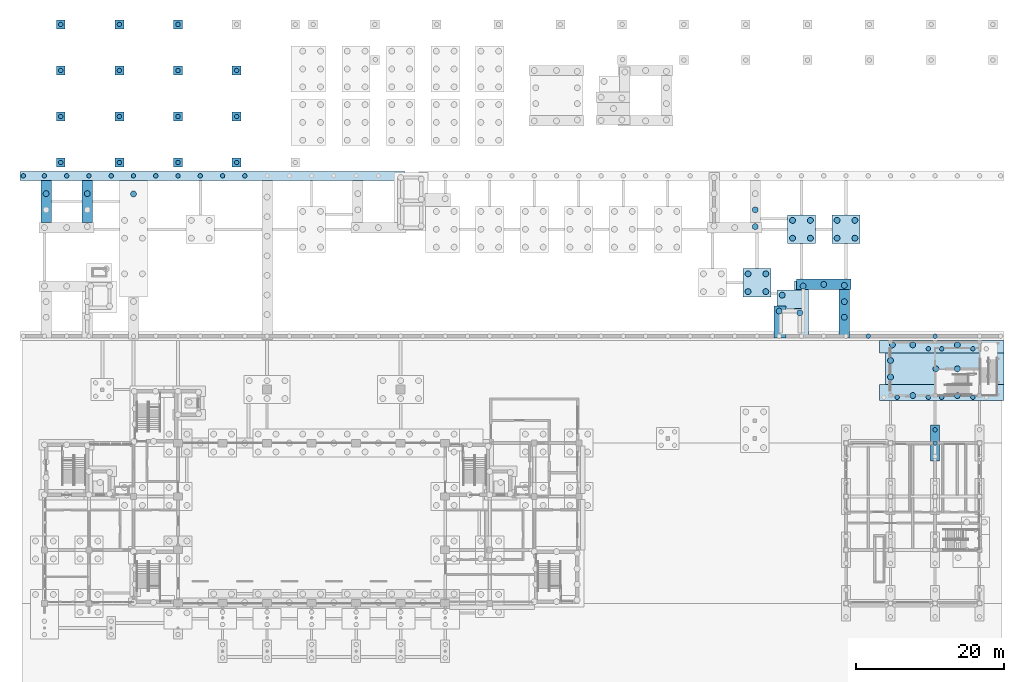
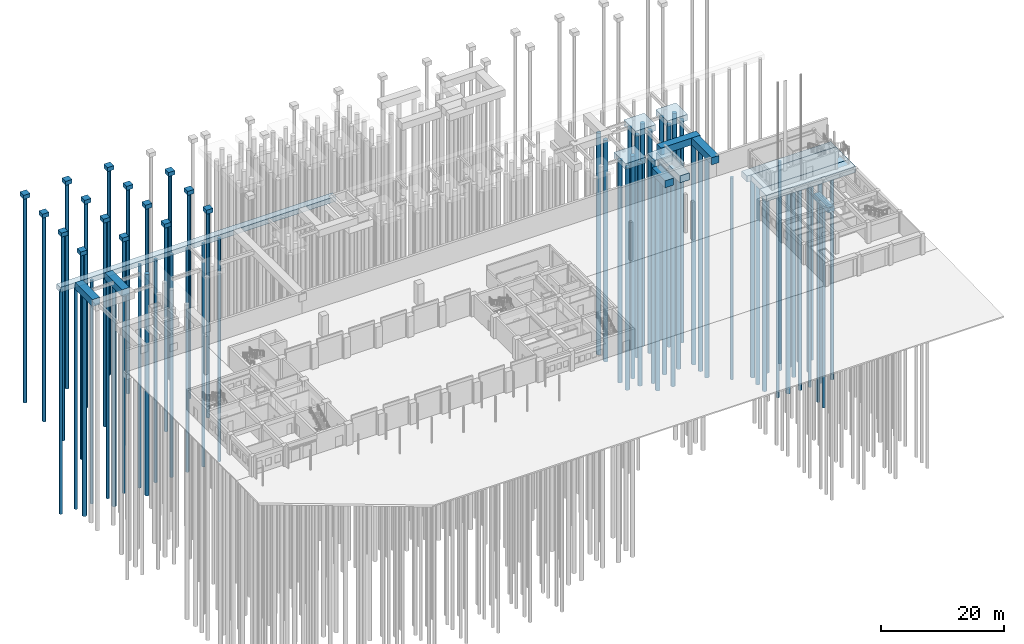
# One storey, part 5 of 37: 71 piles, 30 footings.
"""IFC4 building model written with IfcOpenShell, lengths in metres."""

from ifc_helpers import new_model, si_unit, direction, frame, origin, origin_2d, place, context, subcontext, project, spatial, polyline, circle, outline, extrude, material, layer, layer_set, material_profile, profile_set, type_object, element, save


model = new_model("IFC4")

# Units and contexts
model_context = context("Model", 3, precision=1e-05, world=origin(), true_north=direction((0.0, 1.0)))
body_context = subcontext(model_context, "Body", "Model", "MODEL_VIEW")
ifc_project = project(units=[si_unit("LENGTHUNIT", "METRE"), si_unit("AREAUNIT", "SQUARE_METRE"), si_unit("VOLUMEUNIT", "CUBIC_METRE"), si_unit("PLANEANGLEUNIT", "RADIAN"), si_unit("MASSUNIT", "GRAM", prefix="KILO")], contexts=[model_context])

# Site, building, storey
site_placement = place(None, origin())
site = spatial("IfcSite", under=ifc_project, at=site_placement, CompositionType="ELEMENT")
building_placement = place(site_placement, origin())
building = spatial("IfcBuilding", under=site, at=building_placement, Name="Laocheng Heights Fire and Rescue Headquarters", CompositionType="ELEMENT")
storey_placement = place(building_placement, origin())
storey = spatial("IfcBuildingStorey", under=building, at=storey_placement, Name="L00", CompositionType="ELEMENT", Elevation=0.0)

# Piles
ifc_material_1 = material(Name="Concrete C35", Category="concrete")
ifc_material_profile_1 = material_profile(ifc_material_1, circle(Radius=0.300048828125, at=origin_2d()), Name="BORED PILE D600")
ifc_profile_set_1 = profile_set([ifc_material_profile_1], Name="Concrete C35")
pile_type_1 = type_object("IfcPileType", Name="BORED PILE D600", PredefinedType="BORED", material=ifc_profile_set_1)
for number, where, z_axis, x_axis, name in (
    (1, (120.0, 21.60009765625, -1.300048828125), (0.0, 0.0, -1.0), (1.0, 0.0, 0.0), "Bored pile D600"),
    (2, (120.0, 23.39990234375, -1.300048828125), (0.0, 0.0, -1.0), (1.0, 0.0, 0.0), "Bored pile D600"),
):
    element("IfcPile", number, at=place(storey_placement, frame(where, z_axis=z_axis, x_axis=x_axis)), inside=storey, type_object=pile_type_1, Name=name, PredefinedType="BORED", context=body_context, shape_type="SweptSolid", body=[
        extrude(circle(Radius=0.300048828125, at=origin_2d()), origin(), (0.0, 0.0, 1.0), 40.199951171875),
    ])
for number, where, z_axis, x_axis, name in (
    (3, (114.89990234375, 27.77001953125, -1.5), (0.0, 0.0, -1.0), (1.0, 0.0, 0.0), "Bored pile D600"),
    (4, (119.10009765625, 27.77001953125, -1.5), (0.0, 0.0, -1.0), (1.0, 0.0, 0.0), "Bored pile D600"),
    (5, (120.89990234375, 27.77001953125, -1.5), (0.0, 0.0, -1.0), (1.0, 0.0, 0.0), "Bored pile D600"),
    (6, (125.10009765625, 27.77001953125, -1.5), (0.0, 0.0, -1.0), (1.0, 0.0, 0.0), "Bored pile D600"),
    (7, (119.10009765625, 34.300048828125, -1.5), (0.0, 0.0, -1.0), (1.0, 0.0, 0.0), "Bored pile D600"),
    (8, (120.89990234375, 34.300048828125, -1.5), (0.0, 0.0, -1.0), (1.0, 0.0, 0.0), "Bored pile D600"),
    (9, (125.10009765625, 34.300048828125, -1.5), (0.0, 0.0, -1.0), (1.0, 0.0, 0.0), "Bored pile D600"),
):
    element("IfcPile", number, at=place(storey_placement, frame(where, z_axis=z_axis, x_axis=x_axis)), inside=storey, type_object=pile_type_1, Name=name, PredefinedType="BORED", context=body_context, shape_type="SweptSolid", body=[
        extrude(circle(Radius=0.300048828125, at=origin_2d()), origin(), (0.0, 0.0, 1.0), 40.0),
    ])
for number, where, z_axis, x_axis, name in (
    (10, (111.0, 36.0, -1.300048828125), (0.0, 0.0, -1.0), (1.0, 0.0, 0.0), "Bored pile D600"),
    (11, (120.0, 36.0, -1.300048828125), (0.0, 0.0, -1.0), (1.0, 0.0, 0.0), "Bored pile D600"),
):
    element("IfcPile", number, at=place(storey_placement, frame(where, z_axis=z_axis, x_axis=x_axis)), inside=storey, type_object=pile_type_1, Name=name, PredefinedType="BORED", context=body_context, shape_type="SweptSolid", body=[
        extrude(circle(Radius=0.300048828125, at=origin_2d()), origin(), (0.0, 0.0, 1.0), 40.199951171875),
    ])
for number, where, z_axis, x_axis, name in (
    (12, (-2.830078125, 57.60009765625, 2.949951171875), (0.0, 0.0, -1.0), (1.0, 0.0, 0.0), "Bored pile D600"),
    (13, (0.0, 57.60009765625, 2.949951171875), (0.0, 0.0, -1.0), (1.0, 0.0, 0.0), "Bored pile D600"),
    (14, (3.0, 57.60009765625, 2.949951171875), (0.0, 0.0, -1.0), (1.0, 0.0, 0.0), "Bored pile D600"),
    (15, (6.0, 57.60009765625, 2.949951171875), (0.0, 0.0, -1.0), (1.0, 0.0, 0.0), "Bored pile D600"),
    (16, (9.0, 57.60009765625, 2.949951171875), (0.0, 0.0, -1.0), (1.0, 0.0, 0.0), "Bored pile D600"),
    (17, (12.0, 57.60009765625, 2.949951171875), (0.0, 0.0, -1.0), (1.0, 0.0, 0.0), "Bored pile D600"),
    (18, (15.0, 57.60009765625, 2.949951171875), (0.0, 0.0, -1.0), (1.0, 0.0, 0.0), "Bored pile D600"),
    (19, (18.0, 57.60009765625, 2.949951171875), (0.0, 0.0, -1.0), (1.0, 0.0, 0.0), "Bored pile D600"),
    (20, (21.0, 57.60009765625, 2.949951171875), (0.0, 0.0, -1.0), (1.0, 0.0, 0.0), "Bored pile D600"),
    (21, (24.0, 57.60009765625, 2.949951171875), (0.0, 0.0, -1.0), (1.0, 0.0, 0.0), "Bored pile D600"),
    (22, (27.0, 57.60009765625, 2.949951171875), (0.0, 0.0, -1.0), (1.0, 0.0, 0.0), "Bored pile D600"),
):
    element("IfcPile", number, at=place(storey_placement, frame(where, z_axis=z_axis, x_axis=x_axis)), inside=storey, type_object=pile_type_1, Name=name, PredefinedType="BORED", context=body_context, shape_type="SweptSolid", body=[
        extrude(circle(Radius=0.300048828125, at=origin_2d()), origin(), (0.0, 0.0, 1.0), 44.449951171875),
    ])
for number, where, z_axis, x_axis, name in (
    (23, (2.199951171875, 59.39990234375, 7.39990234375), (0.0, 0.0, -1.0), (1.0, 0.0, 0.0), "Bored pile D600"),
    (24, (10.10009765625, 59.39990234375, 7.39990234375), (0.0, 0.0, -1.0), (1.0, 0.0, 0.0), "Bored pile D600"),
    (25, (18.0, 59.39990234375, 7.39990234375), (0.0, 0.0, -1.0), (1.0, 0.0, 0.0), "Bored pile D600"),
    (26, (25.89990234375, 59.39990234375, 7.39990234375), (0.0, 0.0, -1.0), (1.0, 0.0, 0.0), "Bored pile D600"),
    (27, (2.199951171875, 65.60009765625, 7.39990234375), (0.0, 0.0, -1.0), (1.0, 0.0, 0.0), "Bored pile D600"),
    (28, (10.10009765625, 65.60009765625, 7.39990234375), (0.0, 0.0, -1.0), (1.0, 0.0, 0.0), "Bored pile D600"),
    (29, (18.0, 65.60009765625, 7.39990234375), (0.0, 0.0, -1.0), (1.0, 0.0, 0.0), "Bored pile D600"),
    (30, (25.89990234375, 65.60009765625, 7.39990234375), (0.0, 0.0, -1.0), (1.0, 0.0, 0.0), "Bored pile D600"),
    (31, (2.199951171875, 71.800048828125, 7.39990234375), (0.0, 0.0, -1.0), (1.0, 0.0, 0.0), "Bored pile D600"),
    (32, (10.10009765625, 71.800048828125, 7.39990234375), (0.0, 0.0, -1.0), (1.0, 0.0, 0.0), "Bored pile D600"),
    (33, (18.0, 71.800048828125, 7.39990234375), (0.0, 0.0, -1.0), (1.0, 0.0, 0.0), "Bored pile D600"),
    (34, (25.89990234375, 71.800048828125, 7.39990234375), (0.0, 0.0, -1.0), (1.0, 0.0, 0.0), "Bored pile D600"),
    (35, (2.199951171875, 78.0, 7.39990234375), (0.0, 0.0, -1.0), (1.0, 0.0, 0.0), "Bored pile D600"),
    (36, (10.10009765625, 78.0, 7.39990234375), (0.0, 0.0, -1.0), (1.0, 0.0, 0.0), "Bored pile D600"),
    (37, (18.0, 78.0, 7.39990234375), (0.0, 0.0, -1.0), (1.0, 0.0, 0.0), "Bored pile D600"),
):
    element("IfcPile", number, at=place(storey_placement, frame(where, z_axis=z_axis, x_axis=x_axis)), inside=storey, type_object=pile_type_1, Name=name, PredefinedType="BORED", context=body_context, shape_type="SweptSolid", body=[
        extrude(circle(Radius=0.300048828125, at=origin_2d()), origin(), (0.0, 0.0, 1.0), 40.89990234375),
    ])
ifc_material_2 = material(Name="Concrete C35", Category="concrete")
ifc_material_profile_2 = material_profile(ifc_material_2, circle(Radius=0.39990234375, at=origin_2d()), Name="BORED PILE D800")
ifc_profile_set_2 = profile_set([ifc_material_profile_2], Name="Concrete C35")
pile_type_2 = type_object("IfcPileType", Name="BORED PILE D800", PredefinedType="BORED", material=ifc_profile_set_2)
for number, where, z_axis, x_axis, name in (
    (38, (123.0, 28.0, -1.5), (0.0, 0.0, -1.0), (1.0, 0.0, 0.0), "Bored pile D800"),
    (39, (117.0, 28.0, -1.5), (0.0, 0.0, -1.0), (1.0, 0.0, 0.0), "Bored pile D800"),
    (40, (120.125, 31.60009765625, -1.5), (0.0, 0.0, -1.0), (1.0, 0.0, 0.0), "Bored pile D800"),
    (41, (123.0, 31.60009765625, -1.5), (0.0, 0.0, -1.0), (1.0, 0.0, 0.0), "Bored pile D800"),
    (42, (114.0, 30.4833984375, -1.5), (0.0, 0.0, -1.0), (1.0, 0.0, 0.0), "Bored pile D800"),
    (43, (114.0, 32.716796875, -1.5), (0.0, 0.0, -1.0), (1.0, 0.0, 0.0), "Bored pile D800"),
    (44, (114.25, 34.830078125, -1.5), (0.0, 0.0, -1.0), (1.0, 0.0, 0.0), "Bored pile D800"),
    (45, (117.0, 34.830078125, -1.5), (0.0, 0.0, -1.0), (1.0, 0.0, 0.0), "Bored pile D800"),
    (46, (123.0, 34.830078125, -1.5), (0.0, 0.0, -1.0), (1.0, 0.0, 0.0), "Bored pile D800"),
):
    element("IfcPile", number, at=place(storey_placement, frame(where, z_axis=z_axis, x_axis=x_axis)), inside=storey, type_object=pile_type_2, Name=name, PredefinedType="BORED", context=body_context, shape_type="SweptSolid", body=[
        extrude(circle(Radius=0.39990234375, at=origin_2d()), origin(), (0.0, 0.0, 1.0), 40.0),
    ])
pile_1_placement = place(storey_placement, frame((99.0, 39.375, 1.10009765625), z_axis=(0.0, 0.0, -1.0), x_axis=(1.0, 0.0, 0.0)))
element("IfcPile", 47, at=pile_1_placement, inside=storey, type_object=pile_type_2, Name="Bored pile D800", PredefinedType="BORED", context=body_context, shape_type="SweptSolid", body=[
    extrude(circle(Radius=0.39990234375, at=origin_2d()), origin(), (0.0, 0.0, 1.0), 42.60009765625),
])
for number, where, z_axis, x_axis, name in (
    (48, (107.77490234375, 38.550048828125, 2.60009765625), (0.0, 0.0, -1.0), (1.0, 0.0, 0.0), "Bored pile D800"),
    (49, (107.77490234375, 40.64990234375, 2.60009765625), (0.0, 0.0, -1.0), (1.0, 0.0, 0.0), "Bored pile D800"),
):
    element("IfcPile", number, at=place(storey_placement, frame(where, z_axis=z_axis, x_axis=x_axis)), inside=storey, type_object=pile_type_2, Name=name, PredefinedType="BORED", context=body_context, shape_type="SweptSolid", body=[
        extrude(circle(Radius=0.39990234375, at=origin_2d()), origin(), (0.0, 0.0, 1.0), 44.10009765625),
    ])
for number, where, z_axis, x_axis, name in (
    (50, (101.77490234375, 39.14990234375, 1.10009765625), (0.0, 0.0, -1.0), (1.0, 0.0, 0.0), "Bored pile D800"),
    (51, (102.22509765625, 42.75, 1.10009765625), (0.0, 0.0, -1.0), (1.0, 0.0, 0.0), "Bored pile D800"),
):
    element("IfcPile", number, at=place(storey_placement, frame(where, z_axis=z_axis, x_axis=x_axis)), inside=storey, type_object=pile_type_2, Name=name, PredefinedType="BORED", context=body_context, shape_type="SweptSolid", body=[
        extrude(circle(Radius=0.39990234375, at=origin_2d()), origin(), (0.0, 0.0, 1.0), 42.60009765625),
    ])
pile_2_placement = place(storey_placement, frame((99.39990234375, 41.52490234375, 2.800048828125), z_axis=(0.0, 0.0, -1.0), x_axis=(1.0, 0.0, 0.0)))
element("IfcPile", 52, at=pile_2_placement, inside=storey, type_object=pile_type_2, Name="Bored pile D800", PredefinedType="BORED", context=body_context, shape_type="SweptSolid", body=[
    extrude(circle(Radius=0.39990234375, at=origin_2d()), origin(), (0.0, 0.0, 1.0), 44.300048828125),
])
for number, where, z_axis, x_axis, name in (
    (53, (107.77490234375, 42.844970703125, 2.60009765625), (0.0, 0.0, -1.0), (1.0, 0.0, 0.0), "Bored pile D800"),
    (54, (105.0, 42.97509765625, 2.60009765625), (0.0, 0.0, -1.0), (1.0, 0.0, 0.0), "Bored pile D800"),
):
    element("IfcPile", number, at=place(storey_placement, frame(where, z_axis=z_axis, x_axis=x_axis)), inside=storey, type_object=pile_type_2, Name=name, PredefinedType="BORED", context=body_context, shape_type="SweptSolid", body=[
        extrude(circle(Radius=0.39990234375, at=origin_2d()), origin(), (0.0, 0.0, 1.0), 44.10009765625),
    ])
for number, where, z_axis, x_axis, name in (
    (55, (94.800048828125, 42.0, 2.800048828125), (0.0, 0.0, -1.0), (1.0, 0.0, 0.0), "Bored pile D800"),
    (56, (97.199951171875, 42.0, 2.800048828125), (0.0, 0.0, -1.0), (1.0, 0.0, 0.0), "Bored pile D800"),
    (57, (94.800048828125, 44.39990234375, 2.800048828125), (0.0, 0.0, -1.0), (1.0, 0.0, 0.0), "Bored pile D800"),
    (58, (97.199951171875, 44.39990234375, 2.800048828125), (0.0, 0.0, -1.0), (1.0, 0.0, 0.0), "Bored pile D800"),
):
    element("IfcPile", number, at=place(storey_placement, frame(where, z_axis=z_axis, x_axis=x_axis)), inside=storey, type_object=pile_type_2, Name=name, PredefinedType="BORED", context=body_context, shape_type="SweptSolid", body=[
        extrude(circle(Radius=0.39990234375, at=origin_2d()), origin(), (0.0, 0.0, 1.0), 44.300048828125),
    ])
pile_3_placement = place(storey_placement, frame((12.0, 55.166748046875, 2.60009765625), z_axis=(0.0, 0.0, -1.0), x_axis=(1.0, 0.0, 0.0)))
element("IfcPile", 59, at=pile_3_placement, inside=storey, type_object=pile_type_2, Name="Bored pile D800", PredefinedType="BORED", context=body_context, shape_type="SweptSolid", body=[
    extrude(circle(Radius=0.39990234375, at=origin_2d()), origin(), (0.0, 0.0, 1.0), 44.10009765625),
])
for number, where, z_axis, x_axis, name in (
    (60, (100.800048828125, 49.199951171875, 2.800048828125), (0.0, 0.0, -1.0), (1.0, 0.0, 0.0), "Bored pile D800"),
    (61, (103.199951171875, 49.199951171875, 2.800048828125), (0.0, 0.0, -1.0), (1.0, 0.0, 0.0), "Bored pile D800"),
    (62, (100.800048828125, 51.60009765625, 2.800048828125), (0.0, 0.0, -1.0), (1.0, 0.0, 0.0), "Bored pile D800"),
    (63, (103.199951171875, 51.60009765625, 2.800048828125), (0.0, 0.0, -1.0), (1.0, 0.0, 0.0), "Bored pile D800"),
):
    element("IfcPile", number, at=place(storey_placement, frame(where, z_axis=z_axis, x_axis=x_axis)), inside=storey, type_object=pile_type_2, Name=name, PredefinedType="BORED", context=body_context, shape_type="SweptSolid", body=[
        extrude(circle(Radius=0.39990234375, at=origin_2d()), origin(), (0.0, 0.0, 1.0), 44.300048828125),
    ])
for number, where, z_axis, x_axis, name in (
    (64, (106.800048828125, 49.199951171875, 2.75), (0.0, 0.0, -1.0), (1.0, 0.0, 0.0), "Bored pile D800"),
    (65, (109.199951171875, 49.199951171875, 2.75), (0.0, 0.0, -1.0), (1.0, 0.0, 0.0), "Bored pile D800"),
    (66, (106.800048828125, 51.60009765625, 2.75), (0.0, 0.0, -1.0), (1.0, 0.0, 0.0), "Bored pile D800"),
    (67, (109.199951171875, 51.60009765625, 2.75), (0.0, 0.0, -1.0), (1.0, 0.0, 0.0), "Bored pile D800"),
):
    element("IfcPile", number, at=place(storey_placement, frame(where, z_axis=z_axis, x_axis=x_axis)), inside=storey, type_object=pile_type_2, Name=name, PredefinedType="BORED", context=body_context, shape_type="SweptSolid", body=[
        extrude(circle(Radius=0.39990234375, at=origin_2d()), origin(), (0.0, 0.0, 1.0), 44.25),
    ])
for number, where, z_axis, x_axis, name in (
    (68, (95.77490234375, 50.7548828125, 2.60009765625), (0.0, 0.0, -1.0), (1.0, 0.0, 0.0), "Bored pile D800"),
    (69, (0.22509765625, 55.199951171875, 2.60009765625), (0.0, 0.0, -1.0), (1.0, 0.0, 0.0), "Bored pile D800"),
    (70, (5.77490234375, 55.199951171875, 2.60009765625), (0.0, 0.0, -1.0), (1.0, 0.0, 0.0), "Bored pile D800"),
    (71, (95.77490234375, 53.02490234375, 2.60009765625), (0.0, 0.0, -1.0), (1.0, 0.0, 0.0), "Bored pile D800"),
):
    element("IfcPile", number, at=place(storey_placement, frame(where, z_axis=z_axis, x_axis=x_axis)), inside=storey, type_object=pile_type_2, Name=name, PredefinedType="BORED", context=body_context, shape_type="SweptSolid", body=[
        extrude(circle(Radius=0.39990234375, at=origin_2d()), origin(), (0.0, 0.0, 1.0), 44.10009765625),
    ])

# Footings
ifc_material_3 = material(Name="Concrete C40", Category="concrete")
ifc_layer_1 = layer(ifc_material_3, 0.800048828125)
ifc_layer_set_1 = layer_set([ifc_layer_1], Name="Concrete C40")
footing_type_1 = type_object("IfcFootingType", Name="RC PILE CAP 1200x1200x800 ON 1 D600 PILES", PredefinedType="PILE_CAP", material=ifc_layer_set_1)
footing_1_placement = place(storey_placement, frame((0.0, 0.0, 7.39990234375)))
element("IfcFooting", 72, at=footing_1_placement, inside=storey, type_object=footing_type_1, Name="Pile cap", PredefinedType="PILE_CAP", context=body_context, shape_type="SweptSolid", body=[
    extrude(outline(polyline([(1.60009765625, 58.800048828125), (2.800048828125, 58.800048828125), (2.800048828125, 60.0), (1.60009765625, 60.0), (1.60009765625, 58.800048828125)])), origin(), (0.0, 0.0, 1.0), 0.800048828125),
])
footing_2_placement = place(storey_placement, frame((0.0, 0.0, 7.39990234375)))
element("IfcFooting", 73, at=footing_2_placement, inside=storey, type_object=footing_type_1, Name="Pile cap", PredefinedType="PILE_CAP", context=body_context, shape_type="SweptSolid", body=[
    extrude(outline(polyline([(9.5, 58.800048828125), (10.699951171875, 58.800048828125), (10.699951171875, 60.0), (9.5, 60.0), (9.5, 58.800048828125)])), origin(), (0.0, 0.0, 1.0), 0.800048828125),
])
footing_3_placement = place(storey_placement, frame((0.0, 0.0, 7.39990234375)))
element("IfcFooting", 74, at=footing_3_placement, inside=storey, type_object=footing_type_1, Name="Pile cap", PredefinedType="PILE_CAP", context=body_context, shape_type="SweptSolid", body=[
    extrude(outline(polyline([(17.39990234375, 58.800048828125), (18.60009765625, 58.800048828125), (18.60009765625, 60.0), (17.39990234375, 60.0), (17.39990234375, 58.800048828125)])), origin(), (0.0, 0.0, 1.0), 0.800048828125),
])
footing_4_placement = place(storey_placement, frame((0.0, 0.0, 7.39990234375)))
element("IfcFooting", 75, at=footing_4_placement, inside=storey, type_object=footing_type_1, Name="Pile cap", PredefinedType="PILE_CAP", context=body_context, shape_type="SweptSolid", body=[
    extrude(outline(polyline([(25.300048828125, 58.800048828125), (26.5, 58.800048828125), (26.5, 60.0), (25.300048828125, 60.0), (25.300048828125, 58.800048828125)])), origin(), (0.0, 0.0, 1.0), 0.800048828125),
])
footing_5_placement = place(storey_placement, frame((0.0, 0.0, 7.39990234375)))
element("IfcFooting", 76, at=footing_5_placement, inside=storey, type_object=footing_type_1, Name="Pile cap", PredefinedType="PILE_CAP", context=body_context, shape_type="SweptSolid", body=[
    extrude(outline(polyline([(1.60009765625, 65.0), (2.800048828125, 65.0), (2.800048828125, 66.199951171875), (1.60009765625, 66.199951171875), (1.60009765625, 65.0)])), origin(), (0.0, 0.0, 1.0), 0.800048828125),
])
footing_6_placement = place(storey_placement, frame((0.0, 0.0, 7.39990234375)))
element("IfcFooting", 77, at=footing_6_placement, inside=storey, type_object=footing_type_1, Name="Pile cap", PredefinedType="PILE_CAP", context=body_context, shape_type="SweptSolid", body=[
    extrude(outline(polyline([(9.5, 65.0), (10.699951171875, 65.0), (10.699951171875, 66.199951171875), (9.5, 66.199951171875), (9.5, 65.0)])), origin(), (0.0, 0.0, 1.0), 0.800048828125),
])
footing_7_placement = place(storey_placement, frame((0.0, 0.0, 7.39990234375)))
element("IfcFooting", 78, at=footing_7_placement, inside=storey, type_object=footing_type_1, Name="Pile cap", PredefinedType="PILE_CAP", context=body_context, shape_type="SweptSolid", body=[
    extrude(outline(polyline([(17.39990234375, 65.0), (18.60009765625, 65.0), (18.60009765625, 66.199951171875), (17.39990234375, 66.199951171875), (17.39990234375, 65.0)])), origin(), (0.0, 0.0, 1.0), 0.800048828125),
])
footing_8_placement = place(storey_placement, frame((0.0, 0.0, 7.39990234375)))
element("IfcFooting", 79, at=footing_8_placement, inside=storey, type_object=footing_type_1, Name="Pile cap", PredefinedType="PILE_CAP", context=body_context, shape_type="SweptSolid", body=[
    extrude(outline(polyline([(25.300048828125, 65.0), (26.5, 65.0), (26.5, 66.199951171875), (25.300048828125, 66.199951171875), (25.300048828125, 65.0)])), origin(), (0.0, 0.0, 1.0), 0.800048828125),
])
footing_9_placement = place(storey_placement, frame((0.0, 0.0, 7.39990234375)))
element("IfcFooting", 80, at=footing_9_placement, inside=storey, type_object=footing_type_1, Name="Pile cap", PredefinedType="PILE_CAP", context=body_context, shape_type="SweptSolid", body=[
    extrude(outline(polyline([(1.60009765625, 71.199951171875), (2.800048828125, 71.199951171875), (2.800048828125, 72.39990234375), (1.60009765625, 72.39990234375), (1.60009765625, 71.199951171875)])), origin(), (0.0, 0.0, 1.0), 0.800048828125),
])
footing_10_placement = place(storey_placement, frame((0.0, 0.0, 7.39990234375)))
element("IfcFooting", 81, at=footing_10_placement, inside=storey, type_object=footing_type_1, Name="Pile cap", PredefinedType="PILE_CAP", context=body_context, shape_type="SweptSolid", body=[
    extrude(outline(polyline([(9.5, 71.199951171875), (10.699951171875, 71.199951171875), (10.699951171875, 72.39990234375), (9.5, 72.39990234375), (9.5, 71.199951171875)])), origin(), (0.0, 0.0, 1.0), 0.800048828125),
])
footing_11_placement = place(storey_placement, frame((0.0, 0.0, 7.39990234375)))
element("IfcFooting", 82, at=footing_11_placement, inside=storey, type_object=footing_type_1, Name="Pile cap", PredefinedType="PILE_CAP", context=body_context, shape_type="SweptSolid", body=[
    extrude(outline(polyline([(17.39990234375, 71.199951171875), (18.60009765625, 71.199951171875), (18.60009765625, 72.39990234375), (17.39990234375, 72.39990234375), (17.39990234375, 71.199951171875)])), origin(), (0.0, 0.0, 1.0), 0.800048828125),
])
footing_12_placement = place(storey_placement, frame((0.0, 0.0, 7.39990234375)))
element("IfcFooting", 83, at=footing_12_placement, inside=storey, type_object=footing_type_1, Name="Pile cap", PredefinedType="PILE_CAP", context=body_context, shape_type="SweptSolid", body=[
    extrude(outline(polyline([(25.300048828125, 71.199951171875), (26.5, 71.199951171875), (26.5, 72.39990234375), (25.300048828125, 72.39990234375), (25.300048828125, 71.199951171875)])), origin(), (0.0, 0.0, 1.0), 0.800048828125),
])
footing_13_placement = place(storey_placement, frame((0.0, 0.0, 7.39990234375)))
element("IfcFooting", 84, at=footing_13_placement, inside=storey, type_object=footing_type_1, Name="Pile cap", PredefinedType="PILE_CAP", context=body_context, shape_type="SweptSolid", body=[
    extrude(outline(polyline([(1.60009765625, 77.39990234375), (2.800048828125, 77.39990234375), (2.800048828125, 78.60009765625), (1.60009765625, 78.60009765625), (1.60009765625, 77.39990234375)])), origin(), (0.0, 0.0, 1.0), 0.800048828125),
])
footing_14_placement = place(storey_placement, frame((0.0, 0.0, 7.39990234375)))
element("IfcFooting", 85, at=footing_14_placement, inside=storey, type_object=footing_type_1, Name="Pile cap", PredefinedType="PILE_CAP", context=body_context, shape_type="SweptSolid", body=[
    extrude(outline(polyline([(9.5, 77.39990234375), (10.699951171875, 77.39990234375), (10.699951171875, 78.60009765625), (9.5, 78.60009765625), (9.5, 77.39990234375)])), origin(), (0.0, 0.0, 1.0), 0.800048828125),
])
footing_15_placement = place(storey_placement, frame((0.0, 0.0, 7.39990234375)))
element("IfcFooting", 86, at=footing_15_placement, inside=storey, type_object=footing_type_1, Name="Pile cap", PredefinedType="PILE_CAP", context=body_context, shape_type="SweptSolid", body=[
    extrude(outline(polyline([(17.39990234375, 77.39990234375), (18.60009765625, 77.39990234375), (18.60009765625, 78.60009765625), (17.39990234375, 78.60009765625), (17.39990234375, 77.39990234375)])), origin(), (0.0, 0.0, 1.0), 0.800048828125),
])
ifc_material_4 = material(Name="Concrete C40", Category="concrete")
ifc_layer_2 = layer(ifc_material_4, 1.0)
ifc_layer_set_2 = layer_set([ifc_layer_2], Name="Concrete C40")
footing_type_2 = type_object("IfcFootingType", Name="RC PILE CAP 1200x4800x1000 ON 3 D600 PILES", PredefinedType="PILE_CAP", material=ifc_layer_set_2)
footing_16_placement = place(storey_placement, frame((0.0, 0.0, -1.300048828125)))
element("IfcFooting", 87, at=footing_16_placement, inside=storey, type_object=footing_type_2, Name="Pile cap", PredefinedType="PILE_CAP", context=body_context, shape_type="SweptSolid", body=[
    extrude(outline(polyline([(120.60009765625, 19.199951171875), (120.60009765625, 24.0), (119.39990234375, 24.0), (119.39990234375, 19.199951171875), (120.60009765625, 19.199951171875)])), origin(), (0.0, 0.0, 1.0), 1.0),
])
ifc_material_5 = material(Name="Concrete C40", Category="concrete")
ifc_layer_3 = layer(ifc_material_5, 1.39990234375)
ifc_layer_set_3 = layer_set([ifc_layer_3], Name="Concrete C40")
footing_type_3 = type_object("IfcFootingType", Name="RC PILE CAP 1400x5675x1400 ON 2 D800 PILES", PredefinedType="PILE_CAP", material=ifc_layer_set_3)
footing_17_placement = place(storey_placement, frame((0.0, 0.0, 2.60009765625)))
element("IfcFooting", 88, at=footing_17_placement, inside=storey, type_object=footing_type_3, Name="Pile cap", PredefinedType="PILE_CAP", context=body_context, shape_type="SweptSolid", body=[
    extrude(outline(polyline([(0.925048828125, 51.324951171875), (0.925048828125, 57.0), (-0.47509765625, 57.0), (-0.47509765625, 51.324951171875), (0.925048828125, 51.324951171875)])), origin(), (0.0, 0.0, 1.0), 1.39990234375),
])
footing_18_placement = place(storey_placement, frame((0.0, 0.0, 2.60009765625)))
element("IfcFooting", 89, at=footing_18_placement, inside=storey, type_object=footing_type_3, Name="Pile cap", PredefinedType="PILE_CAP", context=body_context, shape_type="SweptSolid", body=[
    extrude(outline(polyline([(6.47509765625, 51.324951171875), (6.47509765625, 57.0), (5.074951171875, 57.0), (5.074951171875, 51.324951171875), (6.47509765625, 51.324951171875)])), origin(), (0.0, 0.0, 1.0), 1.39990234375),
])
ifc_material_6 = material(Name="Concrete C40", Category="concrete")
ifc_layer_4 = layer(ifc_material_6, 1.39990234375)
ifc_layer_set_4 = layer_set([ifc_layer_4], Name="Concrete C40")
footing_type_4 = type_object("IfcFootingType", Name="RC PILE CAP 1400x6525x1400 ON 2 D800 PILES", PredefinedType="PILE_CAP", material=ifc_layer_set_4)
footing_19_placement = place(storey_placement, frame((0.0, 0.0, 2.60009765625)))
element("IfcFooting", 90, at=footing_19_placement, inside=storey, type_object=footing_type_4, Name="Pile cap", PredefinedType="PILE_CAP", context=body_context, shape_type="SweptSolid", body=[
    extrude(outline(polyline([(108.47509765625, 35.75), (108.47509765625, 42.27490234375), (107.074951171875, 42.27490234375), (107.074951171875, 35.75), (108.47509765625, 35.75)])), origin(), (0.0, 0.0, 1.0), 1.39990234375),
])
ifc_material_7 = material(Name="Concrete C40", Category="concrete")
ifc_layer_5 = layer(ifc_material_7, 1.199951171875)
ifc_layer_set_5 = layer_set([ifc_layer_5], Name="Concrete C40")
footing_type_5 = type_object("IfcFootingType", Name="RC PILE CAP 15990x4200x1200 ON 6 D600/800 PILES", PredefinedType="PILE_CAP", material=ifc_layer_set_5)
footing_20_placement = place(storey_placement, frame((0.0, 0.0, -1.5)))
element("IfcFooting", 91, at=footing_20_placement, inside=storey, type_object=footing_type_5, Name="Pile cap", PredefinedType="PILE_CAP", context=body_context, shape_type="SweptSolid", body=[
    extrude(outline(polyline([(129.2900390625, 29.5), (129.2900390625, 33.699951171875), (113.300048828125, 33.699951171875), (113.300048828125, 29.5), (129.2900390625, 29.5)])), origin(), (0.0, 0.0, 1.0), 1.199951171875),
])
ifc_material_8 = material(Name="Concrete C40", Category="concrete")
ifc_layer_6 = layer(ifc_material_8, 1.39990234375)
ifc_layer_set_6 = layer_set([ifc_layer_6], Name="Concrete C40")
footing_type_6 = type_object("IfcFootingType", Name="RC PILE CAP 1625x4325x1400 ON 1 D800 PILES", PredefinedType="PILE_CAP", material=ifc_layer_set_6)
footing_21_placement = place(storey_placement, frame((0.0, 0.0, 1.10009765625)))
element("IfcFooting", 92, at=footing_21_placement, inside=storey, type_object=footing_type_6, Name="Pile cap", PredefinedType="PILE_CAP", context=body_context, shape_type="SweptSolid", body=[
    extrude(outline(polyline([(99.925048828125, 35.75), (99.925048828125, 40.074951171875), (98.300048828125, 40.074951171875), (98.300048828125, 35.75), (99.925048828125, 35.75)])), origin(), (0.0, 0.0, 1.0), 1.39990234375),
])
ifc_material_9 = material(Name="Concrete C40", Category="concrete")
ifc_layer_7 = layer(ifc_material_9, 1.199951171875)
ifc_layer_set_7 = layer_set([ifc_layer_7], Name="Concrete C40")
footing_type_7 = type_object("IfcFootingType", Name="RC PILE CAP 16790x1700x1200 ON 7 D600/800 PILES", PredefinedType="PILE_CAP", material=ifc_layer_set_7)
footing_22_placement = place(storey_placement, frame((0.0, 0.0, -1.5)))
element("IfcFooting", 93, at=footing_22_placement, inside=storey, type_object=footing_type_7, Name="Pile cap", PredefinedType="PILE_CAP", context=body_context, shape_type="SweptSolid", body=[
    extrude(outline(polyline([(129.2900390625, 33.699951171875), (129.2900390625, 35.39990234375), (112.5, 35.39990234375), (112.5, 33.699951171875), (129.2900390625, 33.699951171875)])), origin(), (0.0, 0.0, 1.0), 1.199951171875),
])
ifc_material_10 = material(Name="Concrete C40", Category="concrete")
ifc_layer_8 = layer(ifc_material_10, 1.199951171875)
ifc_layer_set_8 = layer_set([ifc_layer_8], Name="Concrete C40")
footing_type_8 = type_object("IfcFootingType", Name="RC PILE CAP 16790x2200x1200 ON 8 D600/800 PILES", PredefinedType="PILE_CAP", material=ifc_layer_set_8)
footing_23_placement = place(storey_placement, frame((0.0, 0.0, -1.5)))
element("IfcFooting", 94, at=footing_23_placement, inside=storey, type_object=footing_type_8, Name="Pile cap", PredefinedType="PILE_CAP", context=body_context, shape_type="SweptSolid", body=[
    extrude(outline(polyline([(129.2900390625, 27.300048828125), (129.2900390625, 29.5), (112.5, 29.5), (112.5, 27.300048828125), (129.2900390625, 27.300048828125)])), origin(), (0.0, 0.0, 1.0), 1.199951171875),
])
ifc_material_11 = material(Name="Concrete C40", Category="concrete")
ifc_layer_9 = layer(ifc_material_11, 1.39990234375)
ifc_layer_set_9 = layer_set([ifc_layer_9], Name="Concrete C40")
footing_type_9 = type_object("IfcFootingType", Name="RC PILE CAP 1850x7700x1400 ON 2 D800 PILES", PredefinedType="PILE_CAP", material=ifc_layer_set_9)
footing_24_placement = place(storey_placement, frame((0.0, 0.0, 1.10009765625)))
element("IfcFooting", 95, at=footing_24_placement, inside=storey, type_object=footing_type_9, Name="Pile cap", PredefinedType="PILE_CAP", context=body_context, shape_type="SweptSolid", body=[
    extrude(outline(polyline([(102.925048828125, 35.75), (102.925048828125, 43.449951171875), (101.074951171875, 43.449951171875), (101.074951171875, 35.75), (102.925048828125, 35.75)])), origin(), (0.0, 0.0, 1.0), 1.39990234375),
])
ifc_material_12 = material(Name="Concrete C40", Category="concrete")
ifc_layer_10 = layer(ifc_material_12, 1.199951171875)
ifc_layer_set_10 = layer_set([ifc_layer_10], Name="Concrete C40")
footing_type_10 = type_object("IfcFootingType", Name="RC PILE CAP 3400x2525x1200 ON 1 D800 PILES", PredefinedType="PILE_CAP", material=ifc_layer_set_10)
footing_25_placement = place(storey_placement, frame((0.0, 0.0, 2.800048828125)))
element("IfcFooting", 96, at=footing_25_placement, inside=storey, type_object=footing_type_10, Name="Pile cap", PredefinedType="PILE_CAP", context=body_context, shape_type="SweptSolid", body=[
    extrude(outline(polyline([(98.699951171875, 39.699951171875), (102.10009765625, 39.699951171875), (102.10009765625, 42.22509765625), (98.699951171875, 42.22509765625), (98.699951171875, 39.699951171875)])), origin(), (0.0, 0.0, 1.0), 1.199951171875),
])
ifc_material_13 = material(Name="Concrete C40", Category="concrete")
ifc_layer_11 = layer(ifc_material_13, 1.199951171875)
ifc_layer_set_11 = layer_set([ifc_layer_11], Name="Concrete C40")
footing_type_11 = type_object("IfcFootingType", Name="RC PILE CAP 3800x3800x1200 ON 4 D800 PILES", PredefinedType="PILE_CAP", material=ifc_layer_set_11)
footing_26_placement = place(storey_placement, frame((0.0, 0.0, 2.800048828125)))
element("IfcFooting", 97, at=footing_26_placement, inside=storey, type_object=footing_type_11, Name="Pile cap", PredefinedType="PILE_CAP", context=body_context, shape_type="SweptSolid", body=[
    extrude(outline(polyline([(97.89990234375, 41.300048828125), (97.89990234375, 45.10009765625), (94.10009765625, 45.10009765625), (94.10009765625, 41.300048828125), (97.89990234375, 41.300048828125)])), origin(), (0.0, 0.0, 1.0), 1.199951171875),
])
footing_27_placement = place(storey_placement, frame((0.0, 0.0, 2.800048828125)))
element("IfcFooting", 98, at=footing_27_placement, inside=storey, type_object=footing_type_11, Name="Pile cap", PredefinedType="PILE_CAP", context=body_context, shape_type="SweptSolid", body=[
    extrude(outline(polyline([(103.89990234375, 48.5), (103.89990234375, 52.300048828125), (100.10009765625, 52.300048828125), (100.10009765625, 48.5), (103.89990234375, 48.5)])), origin(), (0.0, 0.0, 1.0), 1.199951171875),
])
footing_28_placement = place(storey_placement, frame((0.0, 0.0, 2.75)))
element("IfcFooting", 99, at=footing_28_placement, inside=storey, type_object=footing_type_11, Name="Pile cap", PredefinedType="PILE_CAP", context=body_context, shape_type="SweptSolid", body=[
    extrude(outline(polyline([(109.89990234375, 48.5), (109.89990234375, 52.300048828125), (106.10009765625, 52.300048828125), (106.10009765625, 48.5), (109.89990234375, 48.5)])), origin(), (0.0, 0.0, 1.0), 1.199951171875),
])
ifc_material_14 = material(Name="Concrete C40", Category="concrete")
ifc_layer_12 = layer(ifc_material_14, 1.39990234375)
ifc_layer_set_12 = layer_set([ifc_layer_12], Name="Concrete C40")
footing_type_12 = type_object("IfcFootingType", Name="RC PILE CAP 7400x1400x1400 ON 2 D800 PILES", PredefinedType="PILE_CAP", material=ifc_layer_set_12)
footing_29_placement = place(storey_placement, frame((0.0, 0.0, 2.60009765625)))
element("IfcFooting", 100, at=footing_29_placement, inside=storey, type_object=footing_type_12, Name="Pile cap", PredefinedType="PILE_CAP", context=body_context, shape_type="SweptSolid", body=[
    extrude(outline(polyline([(108.699951171875, 42.27490234375), (108.699951171875, 43.675048828125), (101.300048828125, 43.675048828125), (101.300048828125, 42.27490234375), (108.699951171875, 42.27490234375)])), origin(), (0.0, 0.0, 1.0), 1.39990234375),
])
ifc_material_15 = material(Name="Concrete C40", Category="concrete")
ifc_layer_13 = layer(ifc_material_15, 1.0)
ifc_layer_set_13 = layer_set([ifc_layer_13], Name="Concrete C40")
footing_type_13 = type_object("IfcFootingType", Name="RC STRIP FOOTING 1200 x 1000 RETAINING WALL", PredefinedType="STRIP_FOOTING", material=ifc_layer_set_13)
footing_30_placement = place(storey_placement, frame((0.0, 0.0, 2.949951171875)))
element("IfcFooting", 101, at=footing_30_placement, inside=storey, type_object=footing_type_13, Name="Retaining wall strip footing", PredefinedType="STRIP_FOOTING", context=body_context, shape_type="SweptSolid", body=[
    extrude(outline(polyline([(48.60009765625, 57.0), (48.60009765625, 58.199951171875), (-3.2900390625, 58.199951171875), (-3.2900390625, 57.0), (48.60009765625, 57.0)])), origin(), (0.0, 0.0, 1.0), 1.0),
])

save(model, "model.ifc")
